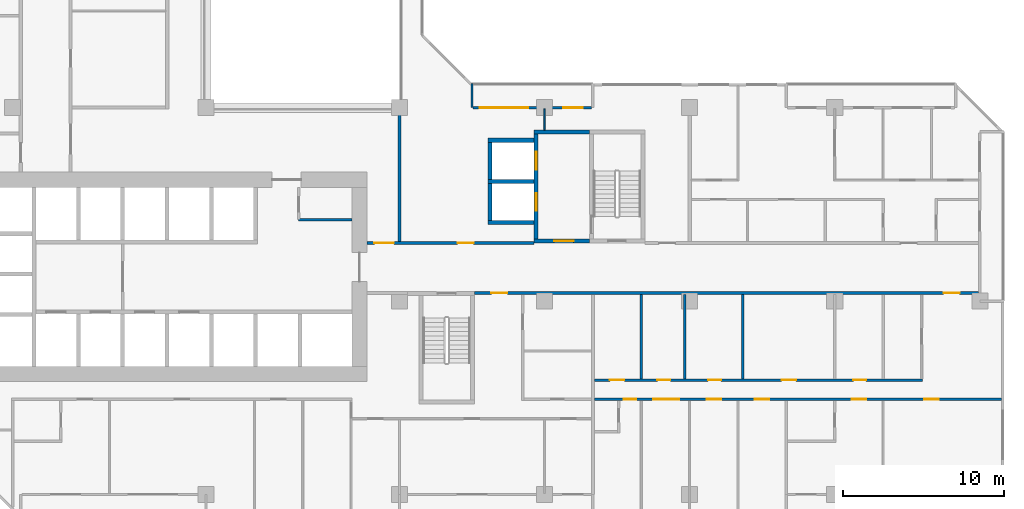
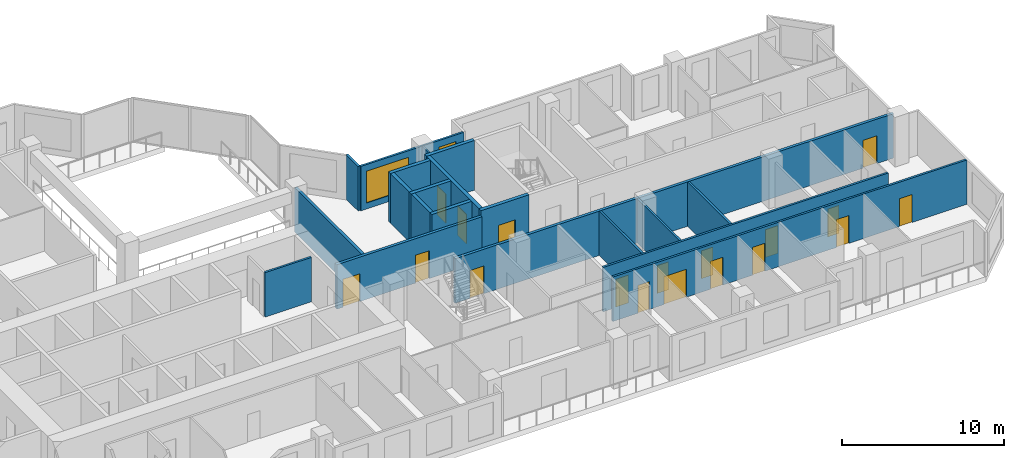
# One storey, part 7 of 15: 20 walls, 18 doors, 2 windows, 20 openings.
"""IFC4 building model written with IfcOpenShell, lengths in metres."""

import ifcopenshell
import ifcopenshell.guid

model = None  # the IFC model being written
_history = None  # IfcOwnerHistory: only IFC2X3 demands one
_inside = {}  # id of a spatial element -> (the spatial element, [elements in it])
_under = {}  # id of a project, library or spatial element -> (it, [spatial elements below it])
_declared = {}  # id of a project -> (the project, [libraries it declares])
_typed = {}  # id of a type object -> (the type object, [elements of that type])
_made_of = {}  # id of a material, layer set ... -> (it, [elements and type objects made of it])


def new_model(schema):
    """Start an empty IFC model of exactly this schema.

    Asked for "IFC4X3", IfcOpenShell would pick the latest addendum, in which some entities
    have other attributes; the version numbers below select the first issue.
    IFC2X3 requires an IfcOwnerHistory on every rooted entity: one is made here for all.
    """
    global model, _history
    if schema == "IFC4X3":
        model = ifcopenshell.file(schema_version=(4, 3, 0, 0))
    else:
        model = ifcopenshell.file(schema=schema)
    _inside.clear()
    _under.clear()
    _declared.clear()
    _typed.clear()
    _made_of.clear()
    _history = None
    if model.schema == "IFC2X3":
        org = make("IfcOrganization", Name="unknown")
        user = make(
            "IfcPersonAndOrganization",
            ThePerson=make("IfcPerson", FamilyName="unknown"),
            TheOrganization=org,
        )
        app = make(
            "IfcApplication",
            ApplicationDeveloper=org,
            Version="unknown",
            ApplicationFullName="unknown",
            ApplicationIdentifier="unknown",
        )
        _history = make(
            "IfcOwnerHistory",
            OwningUser=user,
            OwningApplication=app,
            ChangeAction="ADDED",
            CreationDate=0,
        )
    return model


def make(cls, **values):
    """One entity of the class cls with the attributes given. An attribute that is None is left unset."""
    return model.create_entity(
        cls, **{name: value for name, value in values.items() if value is not None}
    )


def rooted(cls, **values):
    """An entity with a GlobalId (a new one), such as an element, a storey or a relation."""
    return make(cls, GlobalId=ifcopenshell.guid.new(), OwnerHistory=_history, **values)


def si_unit(unit_type, name, prefix=None):
    """IfcSIUnit, for example si_unit("LENGTHUNIT", "METRE", prefix="MILLI")."""
    return make("IfcSIUnit", UnitType=unit_type, Prefix=prefix, Name=name)


def assignment(units):
    """IfcUnitAssignment: the units of a project."""
    return None if units is None else make("IfcUnitAssignment", Units=units)


def point(xyz):
    """IfcCartesianPoint."""
    return None if xyz is None else make("IfcCartesianPoint", Coordinates=xyz)


def direction(xyz):
    """IfcDirection."""
    return None if xyz is None else make("IfcDirection", DirectionRatios=xyz)


def frame(location, z_axis=None, x_axis=None):
    """IfcAxis2Placement3D, a coordinate frame: its origin and axes. An axis left out is left unset."""
    return make(
        "IfcAxis2Placement3D",
        Location=point(location),
        Axis=direction(z_axis),
        RefDirection=direction(x_axis),
    )


def frame_2d(location, x_axis=None):
    """IfcAxis2Placement2D, a coordinate frame in the plane: its origin and x axis."""
    return make(
        "IfcAxis2Placement2D", Location=point(location), RefDirection=direction(x_axis)
    )


def origin():
    """The frame at (0, 0, 0) with its axes left unset."""
    return frame((0.0, 0.0, 0.0))


def place(relative_to, where):
    """IfcLocalPlacement: puts the frame where relative to a parent placement (None: the world)."""
    return make(
        "IfcLocalPlacement", PlacementRelTo=relative_to, RelativePlacement=where
    )


def context(
    kind, dimensions, precision=None, world=None, true_north=None, identifier=None
):
    """IfcGeometricRepresentationContext, for example the 3D "Model" context."""
    return make(
        "IfcGeometricRepresentationContext",
        ContextIdentifier=identifier,
        ContextType=kind,
        CoordinateSpaceDimension=dimensions,
        Precision=precision,
        WorldCoordinateSystem=world,
        TrueNorth=true_north,
    )


def subcontext(parent, identifier, kind, view, scale=None):
    """IfcGeometricRepresentationSubContext, for example "Body" below "Model"."""
    return make(
        "IfcGeometricRepresentationSubContext",
        ContextIdentifier=identifier,
        ContextType=kind,
        ParentContext=parent,
        TargetScale=scale,
        TargetView=view,
    )


def project(units=None, contexts=None):
    """IfcProject with its units and contexts."""
    return rooted(
        "IfcProject",
        Name="project",
        RepresentationContexts=contexts,
        UnitsInContext=assignment(units),
    )


def spatial(cls, under=None, at=None, **own):
    """A site, building, storey or space (cls), placed at a placement, below another one or the project."""
    s = rooted(cls, ObjectPlacement=at, **own)
    if under is not None:
        _under.setdefault(under.id(), (under, []))[1].append(s)
    return s


def profile(cls, at=None, kind="AREA", **sizes):
    """A parametric profile (cls). Its sizes go by their IFC names, for example OverallWidth=200.0."""
    return make(cls, ProfileType=kind, Position=at, **sizes)


def rectangle(**sizes):
    """IfcRectangleProfileDef."""
    return profile("IfcRectangleProfileDef", **sizes)


def extrude(swept, where, along, depth):
    """IfcExtrudedAreaSolid: the profile swept, set in the frame where, extruded along a direction by depth."""
    return make(
        "IfcExtrudedAreaSolid",
        SweptArea=swept,
        Position=where,
        ExtrudedDirection=direction(along),
        Depth=depth,
    )


def shape(context_of_items, identifier, shape_type, items):
    """IfcShapeRepresentation: the items that make up one representation, for example the "Body"."""
    return make(
        "IfcShapeRepresentation",
        ContextOfItems=context_of_items,
        RepresentationIdentifier=identifier,
        RepresentationType=shape_type,
        Items=items,
    )


def material(Name=None, Category=None):
    """IfcMaterial."""
    return make("IfcMaterial", Name=Name, Category=Category)


def layer(
    of_material, thickness, ventilated=None, Name=None, Category=None, Priority=None
):
    """IfcMaterialLayer: one layer of a wall or slab, of a material (None: an air gap)."""
    return make(
        "IfcMaterialLayer",
        Material=of_material,
        LayerThickness=thickness,
        IsVentilated=ventilated,
        Name=Name,
        Category=Category,
        Priority=Priority,
    )


def layer_set(layers, Name=None):
    """IfcMaterialLayerSet."""
    return make("IfcMaterialLayerSet", MaterialLayers=layers, LayerSetName=Name)


def made_of(thing, what):
    """Note that an element or type object is made of a material, layer set ...; save() writes the relation."""
    if what is not None:
        _made_of.setdefault(what.id(), (what, []))[1].append(thing)
    return thing


def type_object(cls, material=None, **own):
    """A type object (cls), such as IfcWallType, which elements share."""
    return made_of(rooted(cls, **own), material)


def element(
    cls,
    number,
    at=None,
    inside=None,
    cuts=None,
    type_object=None,
    material=None,
    context=None,
    identifier="Body",
    shape_type=None,
    held_by="IfcProductDefinitionShape",
    body=None,
    shapes=None,
    **own,
):
    """One element of the class cls, such as IfcWall. Its Tag is "e" and its number.

    at: its placement. inside: the storey or other place that contains it. cuts: it is an
    opening in that element (IfcRelVoidsElement). A single representation is given by context,
    identifier, shape_type and body (its items); several are given by shapes. held_by: the class
    of the entity that holds the representations. save() writes the other relations.
    """
    e = rooted(cls, Tag="e%d" % number, ObjectPlacement=at, **own)
    if body is not None:
        shapes = [shape(context, identifier, shape_type, body)]
    if shapes is not None:
        e.Representation = make(held_by, Representations=shapes)
    if inside is not None:
        _inside.setdefault(inside.id(), (inside, []))[1].append(e)
    if cuts is not None:
        rooted(
            "IfcRelVoidsElement", RelatingBuildingElement=cuts, RelatedOpeningElement=e
        )
    if type_object is not None:
        _typed.setdefault(type_object.id(), (type_object, []))[1].append(e)
    return made_of(e, material)


def fill(opening, filler):
    """IfcRelFillsElement: the door or window that sits in an opening."""
    return rooted(
        "IfcRelFillsElement",
        RelatingOpeningElement=opening,
        RelatedBuildingElement=filler,
    )


def aggregate(whole, parts):
    """IfcRelAggregates: a whole, such as a stair, and the parts it consists of."""
    return rooted("IfcRelAggregates", RelatingObject=whole, RelatedObjects=parts)


def save(model, path):
    """Write the relations noted so far, then the file.

    IfcRelAggregates (storeys below a building ...), IfcRelContainedInSpatialStructure (elements
    in a storey), IfcRelDefinesByType, IfcRelAssociatesMaterial and IfcRelDeclares: one each for
    every whole, place, type object, material and project.
    """
    for whole, parts in _under.values():
        aggregate(whole, parts)
    for where, things in _inside.values():
        rooted(
            "IfcRelContainedInSpatialStructure",
            RelatedElements=things,
            RelatingStructure=where,
        )
    for kind, things in _typed.values():
        rooted("IfcRelDefinesByType", RelatedObjects=things, RelatingType=kind)
    for what, things in _made_of.values():
        rooted("IfcRelAssociatesMaterial", RelatedObjects=things, RelatingMaterial=what)
    for by, libraries in _declared.values():
        rooted("IfcRelDeclares", RelatingContext=by, RelatedDefinitions=libraries)
    model.write(path)


model = new_model("IFC4")

# Units and contexts
model_context = context("Model", 3, precision=1e-05, world=origin(), true_north=direction((0.0, 1.0)))
body_context = subcontext(model_context, "Body", "Model", "MODEL_VIEW")
ifc_project = project(units=[si_unit("LENGTHUNIT", "METRE"), si_unit("AREAUNIT", "SQUARE_METRE"), si_unit("VOLUMEUNIT", "CUBIC_METRE"), si_unit("PLANEANGLEUNIT", "RADIAN"), si_unit("MASSUNIT", "GRAM", prefix="KILO")], contexts=[model_context])

# Site, building, storey
site_placement = place(None, origin())
site = spatial("IfcSite", under=ifc_project, at=site_placement, CompositionType="ELEMENT")
building_placement = place(site_placement, origin())
building = spatial("IfcBuilding", under=site, at=building_placement, Name="Chenar Terraces", CompositionType="ELEMENT")
storey_placement = place(building_placement, frame((0.0, 0.0, 133.14990234375)))
storey = spatial("IfcBuildingStorey", under=building, at=storey_placement, Name="L31", CompositionType="ELEMENT", Elevation=133.14990234375)

# Wall
ifc_material_1 = material(Name="Gypsum board on steel studs", Category="steel")
ifc_layer_1 = layer(ifc_material_1, 0.14990234375)
ifc_layer_set_1 = layer_set([ifc_layer_1], Name="Gypsum board on steel studs")
wall_type_1 = type_object("IfcWallType", Name="Core partition 150 gypsum board", PredefinedType="PARTITIONING", material=ifc_layer_set_1)
wall_1_placement = place(storey_placement, frame((29.75, 17.050048828125, 0.0), z_axis=(0.0, 0.0, 1.0), x_axis=(1.0, 0.0, 0.0)))
element("IfcWall", 1, at=wall_1_placement, inside=storey, type_object=wall_type_1, Name="Core partition CP1 vestibule room south wall", PredefinedType="PARTITIONING", context=body_context, shape_type="SweptSolid", body=[
    extrude(rectangle(XDim=3.300048828125, YDim=0.14990234375, at=frame_2d((1.64990234375, 0.0))), origin(), (0.0, 0.0, 1.0), 3.35009765625),
])

# Wall, opening, door
ifc_material_2 = material(Name="Concrete C70/85", Category="concrete")
ifc_layer_2 = layer(ifc_material_2, 0.25)
ifc_layer_set_2 = layer_set([ifc_layer_2], Name="Concrete C70/85")
wall_type_2 = type_object("IfcWallType", Name="Core wall 250 Concrete C70/85", PredefinedType="SHEAR", material=ifc_layer_set_2)
wall_2_placement = place(storey_placement, frame((44.35009765625, 15.72509765625, 0.0), z_axis=(0.0, 0.0, 1.0), x_axis=(1.0, 0.0, 0.0)))
wall_2 = element("IfcWall", 2, at=wall_2_placement, inside=storey, type_object=wall_type_2, Name="Core wall F3_LS L31", PredefinedType="SHEAR", context=body_context, shape_type="SweptSolid", body=[
    extrude(rectangle(XDim=3.4248046875, YDim=0.25, at=frame_2d((1.71240234375, 0.0))), origin(), (0.0, 0.0, 1.0), 3.75),
])
opening_1_placement = place(wall_2_placement, frame((1.25, 0.0, 0.0)))
opening_1 = element("IfcOpeningElement", 3, at=opening_1_placement, cuts=wall_2, Name="Opening DL31-C10", PredefinedType="OPENING", context=body_context, shape_type="SweptSolid", body=[
    extrude(rectangle(XDim=1.199951171875, YDim=2.199951171875, at=frame_2d((0.60009765625, 1.10009765625))), frame((0.0, 0.135009765625, 0.0), z_axis=(0.0, -1.0, 0.0), x_axis=(1.0, 0.0, 0.0)), (0.0, 0.0, 1.0), 0.27001953125),
])
ifc_material_3 = material(Name="Steel-framed fire-resisting door leaf", Category="steel")
door_type_1 = type_object("IfcDoorType", Name="Lobby fire door FD60 1200 x 2200", OperationType="SINGLE_SWING_LEFT", PredefinedType="DOOR", material=ifc_material_3)
door_1_placement = place(opening_1_placement, origin())
door_1 = element("IfcDoor", 4, at=door_1_placement, inside=storey, type_object=door_type_1, Name="Core door DL31-C10", OperationType="SINGLE_SWING_RIGHT", OverallHeight=2.199951171875, OverallWidth=1.199951171875, PredefinedType="DOOR", context=body_context, shape_type="SweptSolid", body=[
    extrude(rectangle(XDim=1.199951171875, YDim=2.199951171875, at=frame_2d((0.60009765625, 1.10009765625))), frame((0.0, 0.02490234375, 0.0), z_axis=(0.0, -1.0, 0.0), x_axis=(1.0, 0.0, 0.0)), (0.0, 0.0, 1.0), 0.050048828125),
])
fill(opening_1, door_1)

# Wall
wall_3_placement = place(storey_placement, frame((44.35009765625, 22.47509765625, 0.0), z_axis=(0.0, 0.0, 1.0), x_axis=(1.0, 0.0, 0.0)))
element("IfcWall", 5, at=wall_3_placement, inside=storey, type_object=wall_type_2, Name="Core wall F3_LN L31", PredefinedType="SHEAR", context=body_context, shape_type="SweptSolid", body=[
    extrude(rectangle(XDim=3.4248046875, YDim=0.25, at=frame_2d((1.71240234375, 0.0))), origin(), (0.0, 0.0, 1.0), 3.75),
])

# Wall, openings, doors
wall_4_placement = place(storey_placement, frame((44.47509765625, 15.85009765625, 0.0), z_axis=(0.0, 0.0, 1.0), x_axis=(0.0, 1.0, 0.0)))
wall_4 = element("IfcWall", 6, at=wall_4_placement, inside=storey, type_object=wall_type_2, Name="Core wall F3_LW L31", PredefinedType="SHEAR", context=body_context, shape_type="SweptSolid", body=[
    extrude(rectangle(XDim=6.5, YDim=0.25, at=frame_2d((3.25, 0.0))), origin(), (0.0, 0.0, 1.0), 3.75),
])
opening_2_placement = place(wall_4_placement, frame((1.75, 0.0, 0.0)))
opening_2 = element("IfcOpeningElement", 7, at=opening_2_placement, cuts=wall_4, Name="Opening DL31-LD8", PredefinedType="OPENING", context=body_context, shape_type="SweptSolid", body=[
    extrude(rectangle(XDim=1.10009765625, YDim=2.199951171875, at=frame_2d((0.550048828125, 1.10009765625))), frame((0.0, 0.135009765625, 0.0), z_axis=(0.0, -1.0, 0.0), x_axis=(1.0, 0.0, 0.0)), (0.0, 0.0, 1.0), 0.27001953125),
])
opening_3_placement = place(wall_4_placement, frame((4.300048828125, 0.0, 0.0)))
opening_3 = element("IfcOpeningElement", 8, at=opening_3_placement, cuts=wall_4, Name="Opening DL31-LD9", PredefinedType="OPENING", context=body_context, shape_type="SweptSolid", body=[
    extrude(rectangle(XDim=1.10009765625, YDim=2.199951171875, at=frame_2d((0.550048828125, 1.10009765625))), frame((0.0, 0.135009765625, 0.0), z_axis=(0.0, -1.0, 0.0), x_axis=(1.0, 0.0, 0.0)), (0.0, 0.0, 1.0), 0.27001953125),
])
ifc_material_4 = material(Name="Stainless steel", Category="steel")
door_type_2 = type_object("IfcDoorType", Name="Lift landing door 1100 x 2200 sliding", OperationType="DOUBLE_DOOR_SLIDING", PredefinedType="DOOR", material=ifc_material_4)
door_2_placement = place(opening_2_placement, origin())
door_2 = element("IfcDoor", 9, at=door_2_placement, inside=storey, type_object=door_type_2, Name="Landing door F3", OperationType="DOUBLE_DOOR_SLIDING", OverallHeight=2.199951171875, OverallWidth=1.10009765625, PredefinedType="DOOR", context=body_context, shape_type="SweptSolid", body=[
    extrude(rectangle(XDim=1.10009765625, YDim=2.199951171875, at=frame_2d((0.550048828125, 1.10009765625))), frame((0.0, 0.02490234375, 0.0), z_axis=(0.0, -1.0, 0.0), x_axis=(1.0, 0.0, 0.0)), (0.0, 0.0, 1.0), 0.050048828125),
])
fill(opening_2, door_2)
door_3_placement = place(opening_3_placement, origin())
door_3 = element("IfcDoor", 10, at=door_3_placement, inside=storey, type_object=door_type_2, Name="Landing door F4", OperationType="DOUBLE_DOOR_SLIDING", OverallHeight=2.199951171875, OverallWidth=1.10009765625, PredefinedType="DOOR", context=body_context, shape_type="SweptSolid", body=[
    extrude(rectangle(XDim=1.10009765625, YDim=2.199951171875, at=frame_2d((0.550048828125, 1.10009765625))), frame((0.0, 0.02490234375, 0.0), z_axis=(0.0, -1.0, 0.0), x_axis=(1.0, 0.0, 0.0)), (0.0, 0.0, 1.0), 0.050048828125),
])
fill(opening_3, door_3)

# Walls
for number, where, z_axis, x_axis, name in (
    (11, (41.5, 16.875, 0.0), (0.0, 0.0, 1.0), (1.0, 0.0, 0.0), "Core wall F3_SS L31"),
    (12, (41.5, 19.425048828125, 0.0), (0.0, 0.0, 1.0), (1.0, 0.0, 0.0), "Core wall F3_SM L31"),
    (13, (41.5, 21.97509765625, 0.0), (0.0, 0.0, 1.0), (1.0, 0.0, 0.0), "Core wall F4_SN L31"),
):
    element("IfcWall", number, at=place(storey_placement, frame(where, z_axis=z_axis, x_axis=x_axis)), inside=storey, type_object=wall_type_2, Name=name, PredefinedType="SHEAR", context=body_context, shape_type="SweptSolid", body=[
        extrude(rectangle(XDim=2.85009765625, YDim=0.25, at=frame_2d((1.425048828125, 0.0))), origin(), (0.0, 0.0, 1.0), 3.75),
    ])
for number, where, z_axis, x_axis, name in (
    (14, (41.625, 17.0, 0.0), (0.0, 0.0, 1.0), (0.0, 1.0, 0.0), "Core wall F3_SW L31"),
    (15, (41.625, 19.550048828125, 0.0), (0.0, 0.0, 1.0), (0.0, 1.0, 0.0), "Core wall F4_SW L31"),
):
    element("IfcWall", number, at=place(storey_placement, frame(where, z_axis=z_axis, x_axis=x_axis)), inside=storey, type_object=wall_type_2, Name=name, PredefinedType="SHEAR", context=body_context, shape_type="SweptSolid", body=[
        extrude(rectangle(XDim=2.300048828125, YDim=0.25, at=frame_2d((1.14990234375, 0.0))), origin(), (0.0, 0.0, 1.0), 3.75),
    ])

# Wall, openings, doors
ifc_material_5 = material(Name="Gypsum board on steel studs with fire boards", Category="steel")
ifc_layer_3 = layer(ifc_material_5, 0.199951171875)
ifc_layer_set_3 = layer_set([ifc_layer_3], Name="Gypsum board on steel studs with fire boards")
wall_type_3 = type_object("IfcWallType", Name="Corridor wall 200", PredefinedType="PARTITIONING", material=ifc_layer_set_3)
wall_5_placement = place(storey_placement, frame((34.0, 15.60009765625, 0.0), z_axis=(0.0, 0.0, 1.0), x_axis=(1.0, 0.0, 0.0)))
wall_5 = element("IfcWall", 16, at=wall_5_placement, inside=storey, type_object=wall_type_3, Name="Partition L31-063", PredefinedType="PARTITIONING", context=body_context, shape_type="SweptSolid", body=[
    extrude(rectangle(XDim=10.35009765625, YDim=0.199951171875, at=frame_2d((5.175048828125, 0.0))), origin(), (0.0, 0.0, 1.0), 3.35009765625),
])
opening_4_placement = place(wall_5_placement, frame((5.60009765625, 0.0, 0.0)))
opening_4 = element("IfcOpeningElement", 17, at=opening_4_placement, cuts=wall_5, Name="Opening DL31-3", PredefinedType="OPENING", context=body_context, shape_type="SweptSolid", body=[
    extrude(rectangle(XDim=1.0, YDim=2.10009765625, at=frame_2d((0.5, 1.050048828125))), frame((0.0, 0.10986328125, 0.0), z_axis=(0.0, -1.0, 0.0), x_axis=(1.0, 0.0, 0.0)), (0.0, 0.0, 1.0), 0.219970703125),
])
opening_5_placement = place(wall_5_placement, frame((0.449951171875, 0.0, 0.0)))
opening_5 = element("IfcOpeningElement", 18, at=opening_5_placement, cuts=wall_5, Name="Opening DL31-50", PredefinedType="OPENING", context=body_context, shape_type="SweptSolid", body=[
    extrude(rectangle(XDim=1.199951171875, YDim=2.10009765625, at=frame_2d((0.60009765625, 1.050048828125))), frame((0.0, 0.10986328125, 0.0), z_axis=(0.0, -1.0, 0.0), x_axis=(1.0, 0.0, 0.0)), (0.0, 0.0, 1.0), 0.219970703125),
])
ifc_material_6 = material(Name="Steel-framed fire-resisting door leaf", Category="steel")
door_type_3 = type_object("IfcDoorType", Name="Fire door FD60 1000 x 2100", OperationType="SINGLE_SWING_LEFT", PredefinedType="DOOR", material=ifc_material_6)
door_4_placement = place(opening_4_placement, origin())
door_4 = element("IfcDoor", 19, at=door_4_placement, inside=storey, type_object=door_type_3, Name="Door DL31-3", OperationType="SINGLE_SWING_RIGHT", OverallHeight=2.10009765625, OverallWidth=1.0, PredefinedType="DOOR", context=body_context, shape_type="SweptSolid", body=[
    extrude(rectangle(XDim=1.0, YDim=2.10009765625, at=frame_2d((0.5, 1.050048828125))), frame((0.0, 0.02490234375, 0.0), z_axis=(0.0, -1.0, 0.0), x_axis=(1.0, 0.0, 0.0)), (0.0, 0.0, 1.0), 0.050048828125),
])
fill(opening_4, door_4)
ifc_material_7 = material(Name="Steel-framed fire-resisting door leaf", Category="steel")
door_type_4 = type_object("IfcDoorType", Name="Fire door FD60 1200 x 2100", OperationType="SINGLE_SWING_LEFT", PredefinedType="DOOR", material=ifc_material_7)
door_5_placement = place(opening_5_placement, origin())
door_5 = element("IfcDoor", 20, at=door_5_placement, inside=storey, type_object=door_type_4, Name="Door DL31-50", OperationType="SINGLE_SWING_RIGHT", OverallHeight=2.10009765625, OverallWidth=1.199951171875, PredefinedType="DOOR", context=body_context, shape_type="SweptSolid", body=[
    extrude(rectangle(XDim=1.199951171875, YDim=2.10009765625, at=frame_2d((0.60009765625, 1.050048828125))), frame((0.0, 0.02490234375, 0.0), z_axis=(0.0, -1.0, 0.0), x_axis=(1.0, 0.0, 0.0)), (0.0, 0.0, 1.0), 0.050048828125),
])
fill(opening_5, door_5)

# Wall
wall_6_placement = place(storey_placement, frame((36.0, 15.699951171875, 0.0), z_axis=(0.0, 0.0, 1.0), x_axis=(0.0, 1.0, 0.0)))
element("IfcWall", 21, at=wall_6_placement, inside=storey, type_object=wall_type_3, Name="Partition L31-065", PredefinedType="PARTITIONING", context=body_context, shape_type="SweptSolid", body=[
    extrude(rectangle(XDim=8.300048828125, YDim=0.199951171875, at=frame_2d((4.14990234375, 0.0))), origin(), (0.0, 0.0, 1.0), 3.35009765625),
])

# Wall, openings, doors
wall_7_placement = place(storey_placement, frame((40.64990234375, 12.5, 0.0), z_axis=(0.0, 0.0, 1.0), x_axis=(1.0, 0.0, 0.0)))
wall_7 = element("IfcWall", 22, at=wall_7_placement, inside=storey, type_object=wall_type_3, Name="Partition L31-066", PredefinedType="PARTITIONING", context=body_context, shape_type="SweptSolid", body=[
    extrude(rectangle(XDim=31.276123046875, YDim=0.199951171875, at=frame_2d((15.63818359375, 0.0))), origin(), (0.0, 0.0, 1.0), 3.35009765625),
])
opening_6_placement = place(wall_7_placement, frame((29.10009765625, 0.0, 0.0)))
opening_6 = element("IfcOpeningElement", 23, at=opening_6_placement, cuts=wall_7, Name="Opening DL31-18", PredefinedType="OPENING", context=body_context, shape_type="SweptSolid", body=[
    extrude(rectangle(XDim=1.0, YDim=2.10009765625, at=frame_2d((0.5, 1.050048828125))), frame((0.0, 0.10986328125, 0.0), z_axis=(0.0, -1.0, 0.0), x_axis=(1.0, 0.0, 0.0)), (0.0, 0.0, 1.0), 0.219970703125),
])
opening_7_placement = place(wall_7_placement, frame((1.050048828125, 0.0, 0.0)))
opening_7 = element("IfcOpeningElement", 24, at=opening_7_placement, cuts=wall_7, Name="Opening DL31-64", PredefinedType="OPENING", context=body_context, shape_type="SweptSolid", body=[
    extrude(rectangle(XDim=1.0, YDim=2.10009765625, at=frame_2d((0.5, 1.050048828125))), frame((0.0, 0.10986328125, 0.0), z_axis=(0.0, -1.0, 0.0), x_axis=(1.0, 0.0, 0.0)), (0.0, 0.0, 1.0), 0.219970703125),
])
ifc_material_8 = material(Name="Steel-framed fire-resisting door leaf", Category="steel")
door_type_5 = type_object("IfcDoorType", Name="Fire door FD30S 1000 x 2100", OperationType="SINGLE_SWING_LEFT", PredefinedType="DOOR", material=ifc_material_8)
door_6_placement = place(opening_6_placement, frame((1.0, 0.0, 0.0), z_axis=(0.0, 0.0, 1.0), x_axis=(-1.0, 0.0, 0.0)))
door_6 = element("IfcDoor", 25, at=door_6_placement, inside=storey, type_object=door_type_5, Name="Door DL31-18", OperationType="SINGLE_SWING_LEFT", OverallHeight=2.10009765625, OverallWidth=1.0, PredefinedType="DOOR", context=body_context, shape_type="SweptSolid", body=[
    extrude(rectangle(XDim=1.0, YDim=2.10009765625, at=frame_2d((0.5, 1.050048828125))), frame((0.0, 0.02490234375, 0.0), z_axis=(0.0, -1.0, 0.0), x_axis=(1.0, 0.0, 0.0)), (0.0, 0.0, 1.0), 0.050048828125),
])
fill(opening_6, door_6)
door_7_placement = place(opening_7_placement, origin())
door_7 = element("IfcDoor", 26, at=door_7_placement, inside=storey, type_object=door_type_5, Name="Door DL31-64", OperationType="SINGLE_SWING_RIGHT", OverallHeight=2.10009765625, OverallWidth=1.0, PredefinedType="DOOR", context=body_context, shape_type="SweptSolid", body=[
    extrude(rectangle(XDim=1.0, YDim=2.10009765625, at=frame_2d((0.5, 1.050048828125))), frame((0.0, 0.02490234375, 0.0), z_axis=(0.0, -1.0, 0.0), x_axis=(1.0, 0.0, 0.0)), (0.0, 0.0, 1.0), 0.050048828125),
])
fill(opening_7, door_7)

# Wall, openings, windows
ifc_material_9 = material(Name="Aluminium framed glazing", Category="aluminium")
ifc_layer_4 = layer(ifc_material_9, 0.14990234375)
ifc_layer_set_4 = layer_set([ifc_layer_4], Name="Aluminium framed glazing")
wall_type_4 = type_object("IfcWallType", Name="Glazed loggia back wall 150", PredefinedType="SOLIDWALL", material=ifc_layer_set_4)
wall_8_placement = place(storey_placement, frame((47.925048828125, 24.0, 0.0), z_axis=(0.0, 0.0, 1.0), x_axis=(-1.0, 0.0, 0.0)))
wall_8 = element("IfcWall", 27, at=wall_8_placement, inside=storey, type_object=wall_type_4, Name="Glazed loggia back wall", PredefinedType="SOLIDWALL", context=body_context, shape_type="SweptSolid", body=[
    extrude(rectangle(XDim=7.35009765625, YDim=0.14990234375, at=frame_2d((3.675048828125, 0.0))), origin(), (0.0, 0.0, 1.0), 3.35009765625),
])
opening_8_placement = place(wall_8_placement, frame((0.5625, 0.0, 0.449951171875)))
opening_8 = element("IfcOpeningElement", 28, at=opening_8_placement, cuts=wall_8, Name="Opening W120x240", PredefinedType="OPENING", context=body_context, shape_type="SweptSolid", body=[
    extrude(rectangle(XDim=1.199951171875, YDim=2.39990234375, at=frame_2d((0.60009765625, 1.199951171875))), frame((0.0, 0.0849609375, 0.0), z_axis=(0.0, -1.0, 0.0), x_axis=(1.0, 0.0, 0.0)), (0.0, 0.0, 1.0), 0.169921875),
])
opening_9_placement = place(wall_8_placement, frame((3.9375, 0.0, 0.449951171875)))
opening_9 = element("IfcOpeningElement", 29, at=opening_9_placement, cuts=wall_8, Name="Opening W300x240", PredefinedType="OPENING", context=body_context, shape_type="SweptSolid", body=[
    extrude(rectangle(XDim=3.0, YDim=2.39990234375, at=frame_2d((1.5, 1.199951171875))), frame((0.0, 0.0849609375, 0.0), z_axis=(0.0, -1.0, 0.0), x_axis=(1.0, 0.0, 0.0)), (0.0, 0.0, 1.0), 0.169921875),
])
ifc_material_10 = material(Name="Low emissivity double glazing, aluminium frame", Category="aluminium")
window_type_1 = type_object("IfcWindowType", Name="Fixed light 1200 x 2400", PartitioningType="SINGLE_PANEL", PredefinedType="WINDOW", material=ifc_material_10)
window_1_placement = place(opening_8_placement, origin())
window_1 = element("IfcWindow", 30, at=window_1_placement, inside=storey, type_object=window_type_1, Name="Window", OverallHeight=2.39990234375, OverallWidth=1.199951171875, PartitioningType="SINGLE_PANEL", PredefinedType="WINDOW", context=body_context, shape_type="SweptSolid", body=[
    extrude(rectangle(XDim=1.199951171875, YDim=2.39990234375, at=frame_2d((0.60009765625, 1.199951171875))), frame((0.0, 0.030029296875, 0.0), z_axis=(0.0, -1.0, 0.0), x_axis=(1.0, 0.0, 0.0)), (0.0, 0.0, 1.0), 0.06005859375),
])
fill(opening_8, window_1)
ifc_material_11 = material(Name="Low emissivity double glazing, aluminium frame", Category="aluminium")
window_type_2 = type_object("IfcWindowType", Name="Fixed light 3000 x 2400", PartitioningType="SINGLE_PANEL", PredefinedType="WINDOW", material=ifc_material_11)
window_2_placement = place(opening_9_placement, origin())
window_2 = element("IfcWindow", 31, at=window_2_placement, inside=storey, type_object=window_type_2, Name="Window", OverallHeight=2.39990234375, OverallWidth=3.0, PartitioningType="SINGLE_PANEL", PredefinedType="WINDOW", context=body_context, shape_type="SweptSolid", body=[
    extrude(rectangle(XDim=3.0, YDim=2.39990234375, at=frame_2d((1.5, 1.199951171875))), frame((0.0, 0.030029296875, 0.0), z_axis=(0.0, -1.0, 0.0), x_axis=(1.0, 0.0, 0.0)), (0.0, 0.0, 1.0), 0.06005859375),
])
fill(opening_9, window_2)

# Walls
ifc_material_12 = material(Name="Gypsum board on steel studs", Category="steel")
ifc_layer_5 = layer(ifc_material_12, 0.10009765625)
ifc_layer_set_5 = layer_set([ifc_layer_5], Name="Gypsum board on steel studs")
wall_type_5 = type_object("IfcWallType", Name="Gypsum partition 100", PredefinedType="PARTITIONING", material=ifc_layer_set_5)
wall_9_placement = place(storey_placement, frame((45.0, 22.60009765625, 0.0), z_axis=(0.0, 0.0, 1.0), x_axis=(0.0, 1.0, 0.0)))
element("IfcWall", 32, at=wall_9_placement, inside=storey, type_object=wall_type_5, Name="Partition L31-071", PredefinedType="PARTITIONING", context=body_context, shape_type="SweptSolid", body=[
    extrude(rectangle(XDim=1.325927734375, YDim=0.10009765625, at=frame_2d((0.6630859375, 0.0))), origin(), (0.0, 0.0, 1.0), 3.35009765625),
])
ifc_material_13 = material(Name="Terracotta cladding on insulated backing", Category="masonry")
ifc_layer_6 = layer(ifc_material_13, 0.14990234375)
ifc_layer_set_6 = layer_set([ifc_layer_6], Name="Terracotta cladding on insulated backing")
wall_type_6 = type_object("IfcWallType", Name="Loggia return wall 150", PredefinedType="SOLIDWALL", material=ifc_layer_set_6)
wall_10_placement = place(storey_placement, frame((40.5, 25.5, 0.0), z_axis=(0.0, 0.0, 1.0), x_axis=(0.0, -1.0, 0.0)))
element("IfcWall", 33, at=wall_10_placement, inside=storey, type_object=wall_type_6, Name="Loggia return wall", PredefinedType="SOLIDWALL", context=body_context, shape_type="SweptSolid", body=[
    extrude(rectangle(XDim=1.5, YDim=0.14990234375, at=frame_2d((0.75, 0.0))), origin(), (0.0, 0.0, 1.0), 3.35009765625),
])

# Wall, openings, doors
ifc_material_14 = material(Name="Moisture-resistant gypsum board on steel studs", Category="steel")
ifc_layer_7 = layer(ifc_material_14, 0.14990234375)
ifc_layer_set_7 = layer_set([ifc_layer_7], Name="Moisture-resistant gypsum board on steel studs")
wall_type_7 = type_object("IfcWallType", Name="Wet-room partition 150", PredefinedType="PARTITIONING", material=ifc_layer_set_7)
wall_11_placement = place(storey_placement, frame((48.10009765625, 5.89990234375, 0.0), z_axis=(0.0, 0.0, 1.0), x_axis=(1.0, 0.0, 0.0)))
wall_11 = element("IfcWall", 34, at=wall_11_placement, inside=storey, type_object=wall_type_7, Name="Partition L31-074", PredefinedType="PARTITIONING", context=body_context, shape_type="SweptSolid", body=[
    extrude(rectangle(XDim=25.25, YDim=0.14990234375, at=frame_2d((12.625, 0.0))), origin(), (0.0, 0.0, 1.0), 3.35009765625),
])
opening_10_placement = place(wall_11_placement, frame((6.949951171875, 0.0, 0.0)))
opening_10 = element("IfcOpeningElement", 35, at=opening_10_placement, cuts=wall_11, Name="Opening DL31-14", PredefinedType="OPENING", context=body_context, shape_type="SweptSolid", body=[
    extrude(rectangle(XDim=0.89990234375, YDim=2.10009765625, at=frame_2d((0.449951171875, 1.050048828125))), frame((0.0, 0.0849609375, 0.0), z_axis=(0.0, -1.0, 0.0), x_axis=(1.0, 0.0, 0.0)), (0.0, 0.0, 1.0), 0.169921875),
])
opening_11_placement = place(wall_11_placement, frame((9.949951171875, 0.0, 0.0)))
opening_11 = element("IfcOpeningElement", 36, at=opening_11_placement, cuts=wall_11, Name="Opening DL31-15", PredefinedType="OPENING", context=body_context, shape_type="SweptSolid", body=[
    extrude(rectangle(XDim=0.89990234375, YDim=2.10009765625, at=frame_2d((0.449951171875, 1.050048828125))), frame((0.0, 0.0849609375, 0.0), z_axis=(0.0, -1.0, 0.0), x_axis=(1.0, 0.0, 0.0)), (0.0, 0.0, 1.0), 0.169921875),
])
opening_12_placement = place(wall_11_placement, frame((15.949951171875, 0.0, 0.0)))
opening_12 = element("IfcOpeningElement", 37, at=opening_12_placement, cuts=wall_11, Name="Opening DL31-16", PredefinedType="OPENING", context=body_context, shape_type="SweptSolid", body=[
    extrude(rectangle(XDim=0.89990234375, YDim=2.10009765625, at=frame_2d((0.449951171875, 1.050048828125))), frame((0.0, 0.0849609375, 0.0), z_axis=(0.0, -1.0, 0.0), x_axis=(1.0, 0.0, 0.0)), (0.0, 0.0, 1.0), 0.169921875),
])
opening_13_placement = place(wall_11_placement, frame((20.449951171875, 0.0, 0.0)))
opening_13 = element("IfcOpeningElement", 38, at=opening_13_placement, cuts=wall_11, Name="Opening DL31-21", PredefinedType="OPENING", context=body_context, shape_type="SweptSolid", body=[
    extrude(rectangle(XDim=0.89990234375, YDim=2.10009765625, at=frame_2d((0.449951171875, 1.050048828125))), frame((0.0, 0.0849609375, 0.0), z_axis=(0.0, -1.0, 0.0), x_axis=(1.0, 0.0, 0.0)), (0.0, 0.0, 1.0), 0.169921875),
])
opening_14_placement = place(wall_11_placement, frame((1.800048828125, 0.0, 0.0)))
opening_14 = element("IfcOpeningElement", 39, at=opening_14_placement, cuts=wall_11, Name="Opening DL31-22", PredefinedType="OPENING", context=body_context, shape_type="SweptSolid", body=[
    extrude(rectangle(XDim=0.800048828125, YDim=2.10009765625, at=frame_2d((0.39990234375, 1.050048828125))), frame((0.0, 0.0849609375, 0.0), z_axis=(0.0, -1.0, 0.0), x_axis=(1.0, 0.0, 0.0)), (0.0, 0.0, 1.0), 0.169921875),
])
opening_15_placement = place(wall_11_placement, frame((3.64990234375, 0.0, 0.0)))
opening_15 = element("IfcOpeningElement", 40, at=opening_15_placement, cuts=wall_11, Name="Opening DL31-24", PredefinedType="OPENING", context=body_context, shape_type="SweptSolid", body=[
    extrude(rectangle(XDim=1.60009765625, YDim=2.10009765625, at=frame_2d((0.800048828125, 1.050048828125))), frame((0.0, 0.0849609375, 0.0), z_axis=(0.0, -1.0, 0.0), x_axis=(1.0, 0.0, 0.0)), (0.0, 0.0, 1.0), 0.169921875),
])
ifc_material_15 = material(Name="Veneered timber door leaf", Category="wood")
door_type_6 = type_object("IfcDoorType", Name="Door 800 x 2100", OperationType="SINGLE_SWING_LEFT", PredefinedType="DOOR", material=ifc_material_15)
door_8_placement = place(opening_14_placement, frame((0.800048828125, 0.0, 0.0), z_axis=(0.0, 0.0, 1.0), x_axis=(-1.0, 0.0, 0.0)))
door_8 = element("IfcDoor", 41, at=door_8_placement, inside=storey, type_object=door_type_6, Name="Door DL31-22", OperationType="SINGLE_SWING_LEFT", OverallHeight=2.10009765625, OverallWidth=0.800048828125, PredefinedType="DOOR", context=body_context, shape_type="SweptSolid", body=[
    extrude(rectangle(XDim=0.800048828125, YDim=2.10009765625, at=frame_2d((0.39990234375, 1.050048828125))), frame((0.0, 0.02490234375, 0.0), z_axis=(0.0, -1.0, 0.0), x_axis=(1.0, 0.0, 0.0)), (0.0, 0.0, 1.0), 0.050048828125),
])
fill(opening_14, door_8)
ifc_material_16 = material(Name="Veneered timber door leaf", Category="wood")
door_type_7 = type_object("IfcDoorType", Name="Door 900 x 2100", OperationType="SINGLE_SWING_LEFT", PredefinedType="DOOR", material=ifc_material_16)
door_9_placement = place(opening_10_placement, frame((0.89990234375, 0.0, 0.0), z_axis=(0.0, 0.0, 1.0), x_axis=(-1.0, 0.0, 0.0)))
door_9 = element("IfcDoor", 42, at=door_9_placement, inside=storey, type_object=door_type_7, Name="Door DL31-14", OperationType="SINGLE_SWING_LEFT", OverallHeight=2.10009765625, OverallWidth=0.89990234375, PredefinedType="DOOR", context=body_context, shape_type="SweptSolid", body=[
    extrude(rectangle(XDim=0.89990234375, YDim=2.10009765625, at=frame_2d((0.449951171875, 1.050048828125))), frame((0.0, 0.02490234375, 0.0), z_axis=(0.0, -1.0, 0.0), x_axis=(1.0, 0.0, 0.0)), (0.0, 0.0, 1.0), 0.050048828125),
])
fill(opening_10, door_9)
door_10_placement = place(opening_11_placement, frame((0.89990234375, 0.0, 0.0), z_axis=(0.0, 0.0, 1.0), x_axis=(-1.0, 0.0, 0.0)))
door_10 = element("IfcDoor", 43, at=door_10_placement, inside=storey, type_object=door_type_7, Name="Door DL31-15", OperationType="SINGLE_SWING_LEFT", OverallHeight=2.10009765625, OverallWidth=0.89990234375, PredefinedType="DOOR", context=body_context, shape_type="SweptSolid", body=[
    extrude(rectangle(XDim=0.89990234375, YDim=2.10009765625, at=frame_2d((0.449951171875, 1.050048828125))), frame((0.0, 0.02490234375, 0.0), z_axis=(0.0, -1.0, 0.0), x_axis=(1.0, 0.0, 0.0)), (0.0, 0.0, 1.0), 0.050048828125),
])
fill(opening_11, door_10)
door_11_placement = place(opening_12_placement, frame((0.89990234375, 0.0, 0.0), z_axis=(0.0, 0.0, 1.0), x_axis=(-1.0, 0.0, 0.0)))
door_11 = element("IfcDoor", 44, at=door_11_placement, inside=storey, type_object=door_type_7, Name="Door DL31-16", OperationType="SINGLE_SWING_LEFT", OverallHeight=2.10009765625, OverallWidth=0.89990234375, PredefinedType="DOOR", context=body_context, shape_type="SweptSolid", body=[
    extrude(rectangle(XDim=0.89990234375, YDim=2.10009765625, at=frame_2d((0.449951171875, 1.050048828125))), frame((0.0, 0.02490234375, 0.0), z_axis=(0.0, -1.0, 0.0), x_axis=(1.0, 0.0, 0.0)), (0.0, 0.0, 1.0), 0.050048828125),
])
fill(opening_12, door_11)
door_12_placement = place(opening_13_placement, frame((0.89990234375, 0.0, 0.0), z_axis=(0.0, 0.0, 1.0), x_axis=(-1.0, 0.0, 0.0)))
door_12 = element("IfcDoor", 45, at=door_12_placement, inside=storey, type_object=door_type_7, Name="Door DL31-21", OperationType="SINGLE_SWING_LEFT", OverallHeight=2.10009765625, OverallWidth=0.89990234375, PredefinedType="DOOR", context=body_context, shape_type="SweptSolid", body=[
    extrude(rectangle(XDim=0.89990234375, YDim=2.10009765625, at=frame_2d((0.449951171875, 1.050048828125))), frame((0.0, 0.02490234375, 0.0), z_axis=(0.0, -1.0, 0.0), x_axis=(1.0, 0.0, 0.0)), (0.0, 0.0, 1.0), 0.050048828125),
])
fill(opening_13, door_12)
ifc_material_17 = material(Name="Veneered timber door leaf", Category="wood")
door_type_8 = type_object("IfcDoorType", Name="Double door 1600 x 2100", OperationType="DOUBLE_DOOR_SINGLE_SWING", PredefinedType="DOOR", material=ifc_material_17)
door_13_placement = place(opening_15_placement, frame((1.60009765625, 0.0, 0.0), z_axis=(0.0, 0.0, 1.0), x_axis=(-1.0, 0.0, 0.0)))
door_13 = element("IfcDoor", 46, at=door_13_placement, inside=storey, type_object=door_type_8, Name="Door DL31-24", OperationType="DOUBLE_DOOR_SINGLE_SWING", OverallHeight=2.10009765625, OverallWidth=1.60009765625, PredefinedType="DOOR", context=body_context, shape_type="SweptSolid", body=[
    extrude(rectangle(XDim=1.60009765625, YDim=2.10009765625, at=frame_2d((0.800048828125, 1.050048828125))), frame((0.0, 0.02490234375, 0.0), z_axis=(0.0, -1.0, 0.0), x_axis=(1.0, 0.0, 0.0)), (0.0, 0.0, 1.0), 0.050048828125),
])
fill(opening_15, door_13)

wall_12_placement = place(storey_placement, frame((48.10009765625, 7.10009765625, 0.0), z_axis=(0.0, 0.0, 1.0), x_axis=(1.0, 0.0, 0.0)))
wall_12 = element("IfcWall", 47, at=wall_12_placement, inside=storey, type_object=wall_type_7, Name="Partition L31-075", PredefinedType="PARTITIONING", context=body_context, shape_type="SweptSolid", body=[
    extrude(rectangle(XDim=20.349853515625, YDim=0.14990234375, at=frame_2d((10.1748046875, 0.0))), origin(), (0.0, 0.0, 1.0), 3.35009765625),
])
opening_16_placement = place(wall_12_placement, frame((16.050048828125, 0.0, 0.0)))
opening_16 = element("IfcOpeningElement", 48, at=opening_16_placement, cuts=wall_12, Name="Opening DL31-13", PredefinedType="OPENING", context=body_context, shape_type="SweptSolid", body=[
    extrude(rectangle(XDim=0.800048828125, YDim=2.10009765625, at=frame_2d((0.39990234375, 1.050048828125))), frame((0.0, 0.0849609375, 0.0), z_axis=(0.0, -1.0, 0.0), x_axis=(1.0, 0.0, 0.0)), (0.0, 0.0, 1.0), 0.169921875),
])
opening_17_placement = place(wall_12_placement, frame((11.60009765625, 0.0, 0.0)))
opening_17 = element("IfcOpeningElement", 49, at=opening_17_placement, cuts=wall_12, Name="Opening DL31-19", PredefinedType="OPENING", context=body_context, shape_type="SweptSolid", body=[
    extrude(rectangle(XDim=0.89990234375, YDim=2.10009765625, at=frame_2d((0.449951171875, 1.050048828125))), frame((0.0, 0.0849609375, 0.0), z_axis=(0.0, -1.0, 0.0), x_axis=(1.0, 0.0, 0.0)), (0.0, 0.0, 1.0), 0.169921875),
])
opening_18_placement = place(wall_12_placement, frame((3.89990234375, 0.0, 0.0)))
opening_18 = element("IfcOpeningElement", 50, at=opening_18_placement, cuts=wall_12, Name="Opening DL31-20", PredefinedType="OPENING", context=body_context, shape_type="SweptSolid", body=[
    extrude(rectangle(XDim=0.800048828125, YDim=2.10009765625, at=frame_2d((0.39990234375, 1.050048828125))), frame((0.0, 0.0849609375, 0.0), z_axis=(0.0, -1.0, 0.0), x_axis=(1.0, 0.0, 0.0)), (0.0, 0.0, 1.0), 0.169921875),
])
opening_19_placement = place(wall_12_placement, frame((0.949951171875, 0.0, 0.0)))
opening_19 = element("IfcOpeningElement", 51, at=opening_19_placement, cuts=wall_12, Name="Opening DL31-25", PredefinedType="OPENING", context=body_context, shape_type="SweptSolid", body=[
    extrude(rectangle(XDim=0.89990234375, YDim=2.10009765625, at=frame_2d((0.449951171875, 1.050048828125))), frame((0.0, 0.0849609375, 0.0), z_axis=(0.0, -1.0, 0.0), x_axis=(1.0, 0.0, 0.0)), (0.0, 0.0, 1.0), 0.169921875),
])
opening_20_placement = place(wall_12_placement, frame((7.050048828125, 0.0, 0.0)))
opening_20 = element("IfcOpeningElement", 52, at=opening_20_placement, cuts=wall_12, Name="Opening DL31-27", PredefinedType="OPENING", context=body_context, shape_type="SweptSolid", body=[
    extrude(rectangle(XDim=0.800048828125, YDim=2.10009765625, at=frame_2d((0.39990234375, 1.050048828125))), frame((0.0, 0.0849609375, 0.0), z_axis=(0.0, -1.0, 0.0), x_axis=(1.0, 0.0, 0.0)), (0.0, 0.0, 1.0), 0.169921875),
])
door_14_placement = place(opening_16_placement, origin())
door_14 = element("IfcDoor", 53, at=door_14_placement, inside=storey, type_object=door_type_6, Name="Door DL31-13", OperationType="SINGLE_SWING_RIGHT", OverallHeight=2.10009765625, OverallWidth=0.800048828125, PredefinedType="DOOR", context=body_context, shape_type="SweptSolid", body=[
    extrude(rectangle(XDim=0.800048828125, YDim=2.10009765625, at=frame_2d((0.39990234375, 1.050048828125))), frame((0.0, 0.02490234375, 0.0), z_axis=(0.0, -1.0, 0.0), x_axis=(1.0, 0.0, 0.0)), (0.0, 0.0, 1.0), 0.050048828125),
])
fill(opening_16, door_14)
door_15_placement = place(opening_18_placement, origin())
door_15 = element("IfcDoor", 54, at=door_15_placement, inside=storey, type_object=door_type_6, Name="Door DL31-20", OperationType="SINGLE_SWING_RIGHT", OverallHeight=2.10009765625, OverallWidth=0.800048828125, PredefinedType="DOOR", context=body_context, shape_type="SweptSolid", body=[
    extrude(rectangle(XDim=0.800048828125, YDim=2.10009765625, at=frame_2d((0.39990234375, 1.050048828125))), frame((0.0, 0.02490234375, 0.0), z_axis=(0.0, -1.0, 0.0), x_axis=(1.0, 0.0, 0.0)), (0.0, 0.0, 1.0), 0.050048828125),
])
fill(opening_18, door_15)
door_16_placement = place(opening_20_placement, origin())
door_16 = element("IfcDoor", 55, at=door_16_placement, inside=storey, type_object=door_type_6, Name="Door DL31-27", OperationType="SINGLE_SWING_RIGHT", OverallHeight=2.10009765625, OverallWidth=0.800048828125, PredefinedType="DOOR", context=body_context, shape_type="SweptSolid", body=[
    extrude(rectangle(XDim=0.800048828125, YDim=2.10009765625, at=frame_2d((0.39990234375, 1.050048828125))), frame((0.0, 0.02490234375, 0.0), z_axis=(0.0, -1.0, 0.0), x_axis=(1.0, 0.0, 0.0)), (0.0, 0.0, 1.0), 0.050048828125),
])
fill(opening_20, door_16)
door_17_placement = place(opening_17_placement, origin())
door_17 = element("IfcDoor", 56, at=door_17_placement, inside=storey, type_object=door_type_7, Name="Door DL31-19", OperationType="SINGLE_SWING_RIGHT", OverallHeight=2.10009765625, OverallWidth=0.89990234375, PredefinedType="DOOR", context=body_context, shape_type="SweptSolid", body=[
    extrude(rectangle(XDim=0.89990234375, YDim=2.10009765625, at=frame_2d((0.449951171875, 1.050048828125))), frame((0.0, 0.02490234375, 0.0), z_axis=(0.0, -1.0, 0.0), x_axis=(1.0, 0.0, 0.0)), (0.0, 0.0, 1.0), 0.050048828125),
])
fill(opening_17, door_17)
door_18_placement = place(opening_19_placement, origin())
door_18 = element("IfcDoor", 57, at=door_18_placement, inside=storey, type_object=door_type_7, Name="Door DL31-25", OperationType="SINGLE_SWING_RIGHT", OverallHeight=2.10009765625, OverallWidth=0.89990234375, PredefinedType="DOOR", context=body_context, shape_type="SweptSolid", body=[
    extrude(rectangle(XDim=0.89990234375, YDim=2.10009765625, at=frame_2d((0.449951171875, 1.050048828125))), frame((0.0, 0.02490234375, 0.0), z_axis=(0.0, -1.0, 0.0), x_axis=(1.0, 0.0, 0.0)), (0.0, 0.0, 1.0), 0.050048828125),
])
fill(opening_19, door_18)

# Walls
for number, where, z_axis, x_axis, name in (
    (58, (51.0, 7.175048828125, 0.0), (0.0, 0.0, 1.0), (0.0, 1.0, 0.0), "Partition L31-078"),
    (59, (53.699951171875, 7.175048828125, 0.0), (0.0, 0.0, 1.0), (0.0, 1.0, 0.0), "Partition L31-080"),
    (60, (57.300048828125, 7.175048828125, 0.0), (0.0, 0.0, 1.0), (0.0, 1.0, 0.0), "Partition L31-087"),
):
    element("IfcWall", number, at=place(storey_placement, frame(where, z_axis=z_axis, x_axis=x_axis)), inside=storey, type_object=wall_type_7, Name=name, PredefinedType="PARTITIONING", context=body_context, shape_type="SweptSolid", body=[
        extrude(rectangle(XDim=5.224853515625, YDim=0.14990234375, at=frame_2d((2.6123046875, 0.0))), origin(), (0.0, 0.0, 1.0), 3.35009765625),
    ])

save(model, "model.ifc")
